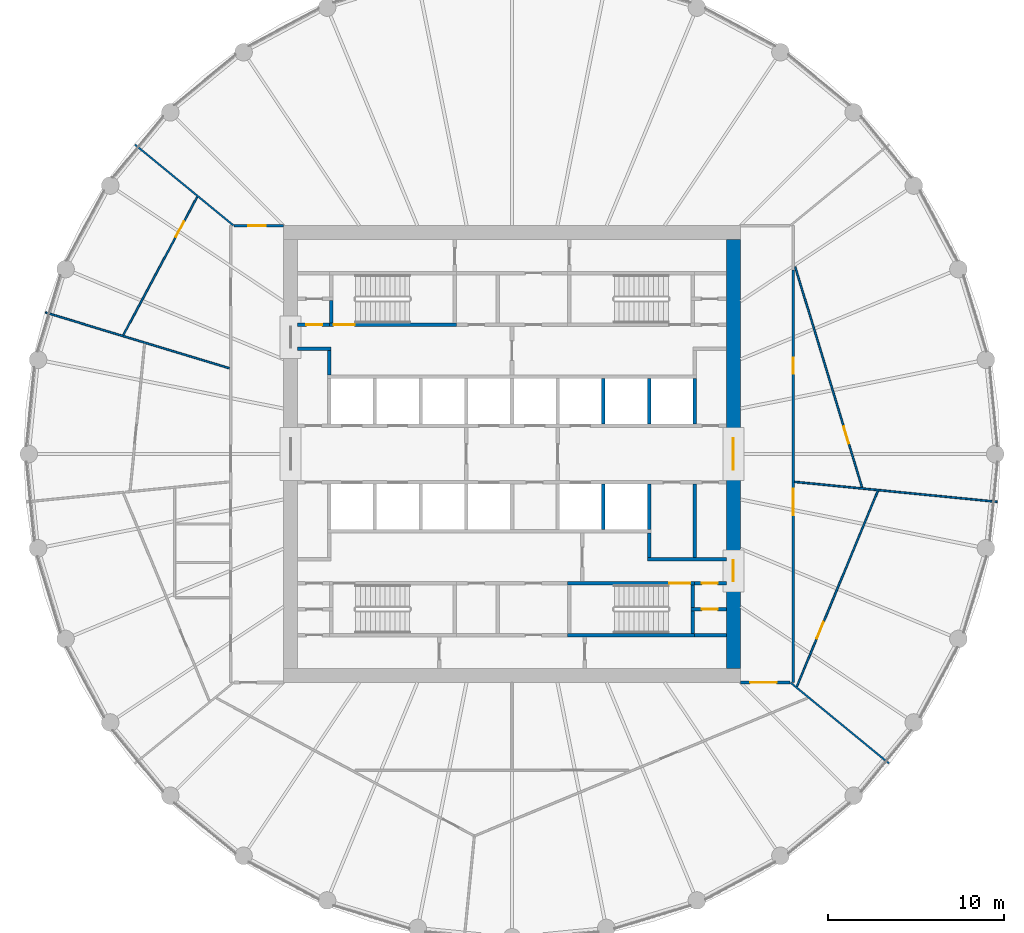
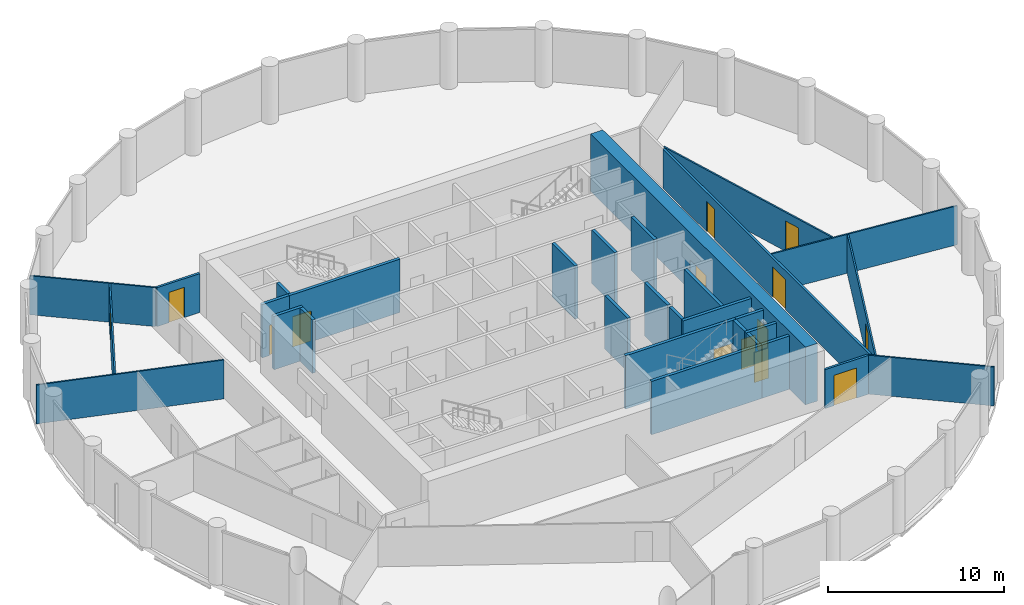
# One storey, part 6 of 9: 31 walls, 14 doors, 14 openings.
"""IFC4 building model written with IfcOpenShell, lengths in metres."""

from ifc_helpers import new_model, si_unit, direction, frame, frame_2d, origin, place, context, subcontext, project, spatial, polyline, rectangle, outline, extrude, material, layer, layer_set, type_object, element, fill, save


model = new_model("IFC4")

# Units and contexts
model_context = context("Model", 3, precision=1e-05, world=origin(), true_north=direction((0.0, 1.0)))
body_context = subcontext(model_context, "Body", "Model", "MODEL_VIEW")
ifc_project = project(units=[si_unit("LENGTHUNIT", "METRE"), si_unit("AREAUNIT", "SQUARE_METRE"), si_unit("VOLUMEUNIT", "CUBIC_METRE"), si_unit("PLANEANGLEUNIT", "RADIAN"), si_unit("MASSUNIT", "GRAM", prefix="KILO")], contexts=[model_context])

# Site, building, storey
site_placement = place(None, origin())
site = spatial("IfcSite", under=ifc_project, at=site_placement, CompositionType="ELEMENT")
building_placement = place(site_placement, origin())
building = spatial("IfcBuilding", under=site, at=building_placement, Name="Corvane Civic Tower", CompositionType="ELEMENT")
storey_placement = place(building_placement, frame((0.0, 0.0, 225.5)))
storey = spatial("IfcBuildingStorey", under=building, at=storey_placement, Name="L53", CompositionType="ELEMENT", Elevation=225.5)

# Wall, openings, doors
ifc_material_1 = material(Name="Concrete C50/60", Category="concrete")
ifc_layer_1 = layer(ifc_material_1, 0.800048828125)
ifc_layer_set_1 = layer_set([ifc_layer_1], Name="Concrete C50/60")
wall_type_1 = type_object("IfcWallType", Name="CORE WALL 800 C50/60", PredefinedType="SHEAR", material=ifc_layer_set_1)
wall_1_placement = place(storey_placement, frame((12.60009765625, -12.199951171875, 0.0), z_axis=(0.0, 0.0, 1.0), x_axis=(0.0, 1.0, 0.0)))
wall_1 = element("IfcWall", 1, at=wall_1_placement, inside=storey, type_object=wall_type_1, Name="W-L53-core-E", PredefinedType="SHEAR", context=body_context, shape_type="SweptSolid", body=[
    extrude(rectangle(XDim=24.39990234375, YDim=0.800048828125, at=frame_2d((12.199951171875, 0.0))), origin(), (0.0, 0.0, 1.0), 4.0),
])
opening_1_placement = place(wall_1_placement, frame((11.300048828125, 0.0, 0.0)))
opening_1 = element("IfcOpeningElement", 2, at=opening_1_placement, cuts=wall_1, Name="Opening L53.C35", PredefinedType="OPENING", context=body_context, shape_type="SweptSolid", body=[
    extrude(rectangle(XDim=1.800048828125, YDim=2.10009765625, at=frame_2d((0.89990234375, 1.050048828125))), frame((0.0, 0.409912109375, 0.0), z_axis=(0.0, -1.0, 0.0), x_axis=(1.0, 0.0, 0.0)), (0.0, 0.0, 1.0), 0.820068359375),
])
opening_2_placement = place(wall_1_placement, frame((4.949951171875, 0.0, 0.0)))
opening_2 = element("IfcOpeningElement", 3, at=opening_2_placement, cuts=wall_1, Name="Opening L53.C37", PredefinedType="OPENING", context=body_context, shape_type="SweptSolid", body=[
    extrude(rectangle(XDim=1.199951171875, YDim=2.10009765625, at=frame_2d((0.60009765625, 1.050048828125))), frame((0.0, 0.409912109375, 0.0), z_axis=(0.0, -1.0, 0.0), x_axis=(1.0, 0.0, 0.0)), (0.0, 0.0, 1.0), 0.820068359375),
])
ifc_material_2 = material(Name="Steel fire door leaf", Category="steel")
door_type_1 = type_object("IfcDoorType", Name="CR-DOOR-CORE-1800", OperationType="DOUBLE_DOOR_SINGLE_SWING", PredefinedType="DOOR", material=ifc_material_2)
door_1_placement = place(opening_1_placement, origin())
door_1 = element("IfcDoor", 4, at=door_1_placement, inside=storey, type_object=door_type_1, Name="L53 door", OperationType="DOUBLE_DOOR_SINGLE_SWING", OverallHeight=2.10009765625, OverallWidth=1.800048828125, PredefinedType="DOOR", context=body_context, shape_type="SweptSolid", body=[
    extrude(rectangle(XDim=1.800048828125, YDim=2.10009765625, at=frame_2d((0.89990234375, 1.050048828125))), frame((0.0, 0.02490234375, 0.0), z_axis=(0.0, -1.0, 0.0), x_axis=(1.0, 0.0, 0.0)), (0.0, 0.0, 1.0), 0.050048828125),
])
fill(opening_1, door_1)
door_2_placement = place(opening_2_placement, origin())
door_2 = element("IfcDoor", 5, at=door_2_placement, inside=storey, type_object=door_type_1, Name="L53 door", OperationType="DOUBLE_DOOR_SINGLE_SWING", OverallHeight=2.10009765625, OverallWidth=1.199951171875, PredefinedType="DOOR", context=body_context, shape_type="SweptSolid", body=[
    extrude(rectangle(XDim=1.199951171875, YDim=2.10009765625, at=frame_2d((0.60009765625, 1.050048828125))), frame((0.0, 0.02490234375, 0.0), z_axis=(0.0, -1.0, 0.0), x_axis=(1.0, 0.0, 0.0)), (0.0, 0.0, 1.0), 0.050048828125),
])
fill(opening_2, door_2)

# Wall, opening, door
ifc_material_3 = material(Name="Concrete C30/37", Category="concrete")
ifc_layer_2 = layer(ifc_material_3, 0.199951171875)
ifc_layer_set_2 = layer_set([ifc_layer_2], Name="Concrete C30/37")
wall_type_2 = type_object("IfcWallType", Name="CR-WALL-200", PredefinedType="PARTITIONING", material=ifc_layer_set_2)
wall_2_placement = place(storey_placement, frame((10.199951171875, -8.824951171875, 0.0), z_axis=(0.0, 0.0, 1.0), x_axis=(1.0, 0.0, 0.0)))
wall_2 = element("IfcWall", 6, at=wall_2_placement, inside=storey, type_object=wall_type_2, Name="L53 partition wall", PredefinedType="PARTITIONING", context=body_context, shape_type="SweptSolid", body=[
    extrude(rectangle(XDim=2.0, YDim=0.199951171875, at=frame_2d((1.0, 0.0))), origin(), (0.0, 0.0, 1.0), 3.699951171875),
])
opening_3_placement = place(wall_2_placement, frame((0.60009765625, 0.0, 0.0)))
opening_3 = element("IfcOpeningElement", 7, at=opening_3_placement, cuts=wall_2, Name="Opening L53.C25", PredefinedType="OPENING", context=body_context, shape_type="SweptSolid", body=[
    extrude(rectangle(XDim=0.89990234375, YDim=2.10009765625, at=frame_2d((0.449951171875, 1.050048828125))), frame((0.0, 0.10986328125, 0.0), z_axis=(0.0, -1.0, 0.0), x_axis=(1.0, 0.0, 0.0)), (0.0, 0.0, 1.0), 0.219970703125),
])
ifc_material_4 = material(Name="Steel fire door leaf", Category="steel")
door_type_2 = type_object("IfcDoorType", Name="CR-DOOR-900", OperationType="SINGLE_SWING_LEFT", PredefinedType="DOOR", material=ifc_material_4)
door_3_placement = place(opening_3_placement, origin())
door_3 = element("IfcDoor", 8, at=door_3_placement, inside=storey, type_object=door_type_2, Name="L53 door", OperationType="SINGLE_SWING_LEFT", OverallHeight=2.10009765625, OverallWidth=0.89990234375, PredefinedType="DOOR", context=body_context, shape_type="SweptSolid", body=[
    extrude(rectangle(XDim=0.89990234375, YDim=2.10009765625, at=frame_2d((0.449951171875, 1.050048828125))), frame((0.0, 0.02490234375, 0.0), z_axis=(0.0, -1.0, 0.0), x_axis=(1.0, 0.0, 0.0)), (0.0, 0.0, 1.0), 0.050048828125),
])
fill(opening_3, door_3)

wall_3_placement = place(storey_placement, frame((10.39990234375, -7.35009765625, 0.0), z_axis=(0.0, 0.0, 1.0), x_axis=(1.0, 0.0, 0.0)))
wall_3 = element("IfcWall", 9, at=wall_3_placement, inside=storey, type_object=wall_type_2, Name="L53 core partition wall", PredefinedType="PARTITIONING", context=body_context, shape_type="SweptSolid", body=[
    extrude(rectangle(XDim=1.800048828125, YDim=0.199951171875, at=frame_2d((0.89990234375, 0.0))), origin(), (0.0, 0.0, 1.0), 3.699951171875),
])
opening_4_placement = place(wall_3_placement, frame((0.39990234375, 0.0, 0.0)))
opening_4 = element("IfcOpeningElement", 10, at=opening_4_placement, cuts=wall_3, Name="Opening L53.C24", PredefinedType="OPENING", context=body_context, shape_type="SweptSolid", body=[
    extrude(rectangle(XDim=0.89990234375, YDim=2.10009765625, at=frame_2d((0.449951171875, 1.050048828125))), frame((0.0, 0.10986328125, 0.0), z_axis=(0.0, -1.0, 0.0), x_axis=(1.0, 0.0, 0.0)), (0.0, 0.0, 1.0), 0.219970703125),
])
door_4_placement = place(opening_4_placement, origin())
door_4 = element("IfcDoor", 11, at=door_4_placement, inside=storey, type_object=door_type_2, Name="L53 door", OperationType="SINGLE_SWING_LEFT", OverallHeight=2.10009765625, OverallWidth=0.89990234375, PredefinedType="DOOR", context=body_context, shape_type="SweptSolid", body=[
    extrude(rectangle(XDim=0.89990234375, YDim=2.10009765625, at=frame_2d((0.449951171875, 1.050048828125))), frame((0.0, 0.02490234375, 0.0), z_axis=(0.0, -1.0, 0.0), x_axis=(1.0, 0.0, 0.0)), (0.0, 0.0, 1.0), 0.050048828125),
])
fill(opening_4, door_4)

wall_4_placement = place(storey_placement, frame((-12.199951171875, 7.35009765625, 0.0), z_axis=(0.0, 0.0, 1.0), x_axis=(1.0, 0.0, 0.0)))
wall_4 = element("IfcWall", 12, at=wall_4_placement, inside=storey, type_object=wall_type_2, Name="L53 core partition wall", PredefinedType="PARTITIONING", context=body_context, shape_type="SweptSolid", body=[
    extrude(rectangle(XDim=1.800048828125, YDim=0.199951171875, at=frame_2d((0.89990234375, 0.0))), origin(), (0.0, 0.0, 1.0), 3.699951171875),
])
opening_5_placement = place(wall_4_placement, frame((0.5, 0.0, 0.0)))
opening_5 = element("IfcOpeningElement", 13, at=opening_5_placement, cuts=wall_4, Name="Opening L53.C17", PredefinedType="OPENING", context=body_context, shape_type="SweptSolid", body=[
    extrude(rectangle(XDim=0.89990234375, YDim=2.10009765625, at=frame_2d((0.449951171875, 1.050048828125))), frame((0.0, 0.10986328125, 0.0), z_axis=(0.0, -1.0, 0.0), x_axis=(1.0, 0.0, 0.0)), (0.0, 0.0, 1.0), 0.219970703125),
])
door_5_placement = place(opening_5_placement, origin())
door_5 = element("IfcDoor", 14, at=door_5_placement, inside=storey, type_object=door_type_2, Name="L53 door", OperationType="SINGLE_SWING_LEFT", OverallHeight=2.10009765625, OverallWidth=0.89990234375, PredefinedType="DOOR", context=body_context, shape_type="SweptSolid", body=[
    extrude(rectangle(XDim=0.89990234375, YDim=2.10009765625, at=frame_2d((0.449951171875, 1.050048828125))), frame((0.0, 0.02490234375, 0.0), z_axis=(0.0, -1.0, 0.0), x_axis=(1.0, 0.0, 0.0)), (0.0, 0.0, 1.0), 0.050048828125),
])
fill(opening_5, door_5)

# Walls
wall_5_placement = place(storey_placement, origin())
element("IfcWall", 15, at=wall_5_placement, inside=storey, type_object=wall_type_2, Name="L53 core partition wall", PredefinedType="PARTITIONING", context=body_context, shape_type="SweptSolid", body=[
    extrude(outline(polyline([(12.199951171875, -6.10009765625), (7.699951171875, -6.10009765625), (7.699951171875, -5.89990234375), (12.199951171875, -5.89990234375), (12.199951171875, -6.10009765625)])), origin(), (0.0, 0.0, 1.0), 3.699951171875),
])
wall_6_placement = place(storey_placement, origin())
element("IfcWall", 16, at=wall_6_placement, inside=storey, type_object=wall_type_2, Name="L53 core partition wall", PredefinedType="PARTITIONING", context=body_context, shape_type="SweptSolid", body=[
    extrude(outline(polyline([(10.5, -1.699951171875), (10.5, -5.89990234375), (10.300048828125, -5.89990234375), (10.300048828125, -1.699951171875), (10.5, -1.699951171875)])), origin(), (0.0, 0.0, 1.0), 3.699951171875),
])
wall_7_placement = place(storey_placement, origin())
element("IfcWall", 17, at=wall_7_placement, inside=storey, type_object=wall_type_2, Name="L53 core partition wall", PredefinedType="PARTITIONING", context=body_context, shape_type="SweptSolid", body=[
    extrude(outline(polyline([(5.300048828125, -1.699951171875), (5.300048828125, -4.2998046875), (5.10009765625, -4.2998046875), (5.10009765625, -1.699951171875), (5.300048828125, -1.699951171875)])), origin(), (0.0, 0.0, 1.0), 3.699951171875),
])
wall_8_placement = place(storey_placement, origin())
element("IfcWall", 18, at=wall_8_placement, inside=storey, type_object=wall_type_2, Name="L53 core partition wall", PredefinedType="PARTITIONING", context=body_context, shape_type="SweptSolid", body=[
    extrude(outline(polyline([(7.89990234375, -1.699951171875), (7.89990234375, -4.2998046875), (7.699951171875, -4.2998046875), (7.699951171875, -1.699951171875), (7.89990234375, -1.699951171875)])), origin(), (0.0, 0.0, 1.0), 3.699951171875),
])
wall_9_placement = place(storey_placement, origin())
element("IfcWall", 19, at=wall_9_placement, inside=storey, type_object=wall_type_2, Name="L53 core partition wall", PredefinedType="PARTITIONING", context=body_context, shape_type="SweptSolid", body=[
    extrude(outline(polyline([(7.89990234375, -5.89990234375), (7.699951171875, -5.89990234375), (7.699951171875, -4.5), (7.89990234375, -4.5), (7.89990234375, -5.89990234375)])), origin(), (0.0, 0.0, 1.0), 3.699951171875),
])
wall_10_placement = place(storey_placement, origin())
element("IfcWall", 20, at=wall_10_placement, inside=storey, type_object=wall_type_2, Name="L53 core partition wall", PredefinedType="PARTITIONING", context=body_context, shape_type="SweptSolid", body=[
    extrude(outline(polyline([(5.300048828125, 1.699951171875), (5.10009765625, 1.699951171875), (5.10009765625, 4.2998046875), (5.300048828125, 4.2998046875), (5.300048828125, 1.699951171875)])), origin(), (0.0, 0.0, 1.0), 3.699951171875),
])
wall_11_placement = place(storey_placement, origin())
element("IfcWall", 21, at=wall_11_placement, inside=storey, type_object=wall_type_2, Name="L53 core partition wall", PredefinedType="PARTITIONING", context=body_context, shape_type="SweptSolid", body=[
    extrude(outline(polyline([(7.89990234375, 1.699951171875), (7.699951171875, 1.699951171875), (7.699951171875, 4.2998046875), (7.89990234375, 4.2998046875), (7.89990234375, 1.699951171875)])), origin(), (0.0, 0.0, 1.0), 3.699951171875),
])
wall_12_placement = place(storey_placement, origin())
element("IfcWall", 22, at=wall_12_placement, inside=storey, type_object=wall_type_2, Name="L53 core partition wall", PredefinedType="PARTITIONING", context=body_context, shape_type="SweptSolid", body=[
    extrude(outline(polyline([(10.5, 1.699951171875), (10.300048828125, 1.699951171875), (10.300048828125, 4.2998046875), (10.5, 4.2998046875), (10.5, 1.699951171875)])), origin(), (0.0, 0.0, 1.0), 3.699951171875),
])
wall_13_placement = place(storey_placement, origin())
element("IfcWall", 23, at=wall_13_placement, inside=storey, type_object=wall_type_2, Name="L53 core partition wall", PredefinedType="PARTITIONING", context=body_context, shape_type="SweptSolid", body=[
    extrude(outline(polyline([(-10.300048828125, 5.89990234375), (-12.199951171875, 5.89990234375), (-12.199951171875, 6.10009765625), (-10.300048828125, 6.10009765625), (-10.300048828125, 5.89990234375)])), origin(), (0.0, 0.0, 1.0), 3.699951171875),
])
wall_14_placement = place(storey_placement, origin())
element("IfcWall", 24, at=wall_14_placement, inside=storey, type_object=wall_type_2, Name="L53 core partition wall", PredefinedType="PARTITIONING", context=body_context, shape_type="SweptSolid", body=[
    extrude(outline(polyline([(-10.300048828125, 4.5), (-10.5, 4.5), (-10.5, 5.89990234375), (-10.300048828125, 5.89990234375), (-10.300048828125, 4.5)])), origin(), (0.0, 0.0, 1.0), 3.699951171875),
])
wall_15_placement = place(storey_placement, origin())
element("IfcWall", 25, at=wall_15_placement, inside=storey, type_object=wall_type_2, Name="L53 core partition wall", PredefinedType="PARTITIONING", context=body_context, shape_type="SweptSolid", body=[
    extrude(outline(polyline([(10.39990234375, -10.39990234375), (10.39990234375, -10.199951171875), (12.199951171875, -10.199951171875), (12.199951171875, -10.39990234375), (10.39990234375, -10.39990234375)])), origin(), (0.0, 0.0, 1.0), 3.699951171875),
])
ifc_material_5 = material(Name="Plasterboard")
ifc_layer_3 = layer(ifc_material_5, 0.10009765625)
ifc_layer_set_3 = layer_set([ifc_layer_3], Name="Plasterboard")
wall_type_3 = type_object("IfcWallType", Name="Partition 100 plasterboard on studs", PredefinedType="PARTITIONING", material=ifc_layer_set_3)
wall_16_placement = place(storey_placement, frame((15.8544921875, -13.01123046875, 0.0), z_axis=(0.0, 0.0, 1.0), x_axis=(0.772997895748, -0.634408585352, 0.0)))
element("IfcWall", 26, at=wall_16_placement, inside=storey, type_object=wall_type_3, Name="Partition L53.007", PredefinedType="PARTITIONING", context=body_context, shape_type="SweptSolid", body=[
    extrude(rectangle(XDim=7.240234375, YDim=0.10009765625, at=frame_2d((3.6201171875, 0.0))), origin(), (0.0, 0.0, 1.0), 2.699951171875),
])

# Wall, opening, door
wall_17_placement = place(storey_placement, frame((16.214111328125, -13.22314453125, 0.0), z_axis=(0.0, 0.0, 1.0), x_axis=(0.382678182982, 0.92388170686, 0.0)))
wall_17 = element("IfcWall", 27, at=wall_17_placement, inside=storey, type_object=wall_type_3, Name="Partition L53.009", PredefinedType="PARTITIONING", context=body_context, shape_type="SweptSolid", body=[
    extrude(rectangle(XDim=12.0234375, YDim=0.10009765625, at=frame_2d((6.01171875, 0.0))), origin(), (0.0, 0.0, 1.0), 2.699951171875),
])
opening_6_placement = place(wall_17_placement, frame((2.95654296875, 0.0, 0.0)))
opening_6 = element("IfcOpeningElement", 28, at=opening_6_placement, cuts=wall_17, Name="Opening L53.009", PredefinedType="OPENING", context=body_context, shape_type="SweptSolid", body=[
    extrude(rectangle(XDim=1.0, YDim=2.10009765625, at=frame_2d((0.5, 1.050048828125))), frame((0.0, 0.06005859375, 0.0), z_axis=(0.0, -1.0, 0.0), x_axis=(1.0, 0.0, 0.0)), (0.0, 0.0, 1.0), 0.1201171875),
])
ifc_material_6 = material(Name="Timber", Category="wood")
door_type_3 = type_object("IfcDoorType", Name="Single door 1000", OperationType="NOTDEFINED", PredefinedType="DOOR", material=ifc_material_6)
door_6_placement = place(opening_6_placement, frame((1.0, 0.0, 0.0), z_axis=(0.0, 0.0, 1.0), x_axis=(-1.0, 0.0, 0.0)))
door_6 = element("IfcDoor", 29, at=door_6_placement, inside=storey, type_object=door_type_3, Name="Door L53.009", OperationType="SINGLE_SWING_LEFT", OverallHeight=2.10009765625, OverallWidth=1.0, PredefinedType="DOOR", context=body_context, shape_type="SweptSolid", body=[
    extrude(rectangle(XDim=1.0, YDim=2.10009765625, at=frame_2d((0.5, 1.050048828125))), frame((0.0, 0.02490234375, 0.0), z_axis=(0.0, -1.0, 0.0), x_axis=(1.0, 0.0, 0.0)), (0.0, 0.0, 1.0), 0.050048828125),
])
fill(opening_6, door_6)

# Wall
wall_18_placement = place(storey_placement, frame((16.079833984375, -1.583740234375, 0.0), z_axis=(0.0, 0.0, 1.0), x_axis=(0.995184958345, -0.098014788084, 0.0)))
element("IfcWall", 30, at=wall_18_placement, inside=storey, type_object=wall_type_3, Name="Partition L53.019", PredefinedType="PARTITIONING", context=body_context, shape_type="SweptSolid", body=[
    extrude(rectangle(XDim=11.592529296875, YDim=0.10009765625, at=frame_2d((5.79638671875, 0.0))), origin(), (0.0, 0.0, 1.0), 2.699951171875),
])

# Wall, opening, door
wall_19_placement = place(storey_placement, frame((16.1162109375, 10.655517578125, 0.0), z_axis=(0.0, 0.0, 1.0), x_axis=(0.290282810355, -0.956940902048, 0.0)))
wall_19 = element("IfcWall", 31, at=wall_19_placement, inside=storey, type_object=wall_type_3, Name="Partition L53.022", PredefinedType="PARTITIONING", context=body_context, shape_type="SweptSolid", body=[
    extrude(rectangle(XDim=13.11279296875, YDim=0.10009765625, at=frame_2d((6.556396484375, 0.0))), origin(), (0.0, 0.0, 1.0), 2.699951171875),
])
opening_7_placement = place(wall_19_placement, frame((9.5048828125, 0.0, 0.0)))
opening_7 = element("IfcOpeningElement", 32, at=opening_7_placement, cuts=wall_19, Name="Opening L53.007", PredefinedType="OPENING", context=body_context, shape_type="SweptSolid", body=[
    extrude(rectangle(XDim=1.0, YDim=2.10009765625, at=frame_2d((0.5, 1.050048828125))), frame((0.0, 0.06005859375, 0.0), z_axis=(0.0, -1.0, 0.0), x_axis=(1.0, 0.0, 0.0)), (0.0, 0.0, 1.0), 0.1201171875),
])
door_7_placement = place(opening_7_placement, origin())
door_7 = element("IfcDoor", 33, at=door_7_placement, inside=storey, type_object=door_type_3, Name="Door L53.007", OperationType="SINGLE_SWING_LEFT", OverallHeight=2.10009765625, OverallWidth=1.0, PredefinedType="DOOR", context=body_context, shape_type="SweptSolid", body=[
    extrude(rectangle(XDim=1.0, YDim=2.10009765625, at=frame_2d((0.5, 1.050048828125))), frame((0.0, 0.02490234375, 0.0), z_axis=(0.0, -1.0, 0.0), x_axis=(1.0, 0.0, 0.0)), (0.0, 0.0, 1.0), 0.050048828125),
])
fill(opening_7, door_7)

# Wall
wall_20_placement = place(storey_placement, frame((-26.555419921875, 8.055419921875, 0.0), z_axis=(0.0, 0.0, 1.0), x_axis=(0.956939502521, -0.290287423971, 0.0)))
element("IfcWall", 34, at=wall_20_placement, inside=storey, type_object=wall_type_3, Name="Partition L53.023", PredefinedType="PARTITIONING", context=body_context, shape_type="SweptSolid", body=[
    extrude(rectangle(XDim=10.936767578125, YDim=0.10009765625, at=frame_2d((5.46826171875, 0.0))), origin(), (0.0, 0.0, 1.0), 2.699951171875),
])

# Wall, opening, door
wall_21_placement = place(storey_placement, frame((-22.119384765625, 6.772216796875, 0.0), z_axis=(0.0, 0.0, 1.0), x_axis=(0.471383151243, 0.881928525859, 0.0)))
wall_21 = element("IfcWall", 35, at=wall_21_placement, inside=storey, type_object=wall_type_3, Name="Partition L53.024", PredefinedType="PARTITIONING", context=body_context, shape_type="SweptSolid", body=[
    extrude(rectangle(XDim=8.90869140625, YDim=0.10009765625, at=frame_2d((4.454345703125, 0.0))), origin(), (0.0, 0.0, 1.0), 2.699951171875),
])
opening_8_placement = place(wall_21_placement, frame((6.32470703125, 0.0, 0.0)))
opening_8 = element("IfcOpeningElement", 36, at=opening_8_placement, cuts=wall_21, Name="Opening L53.018", PredefinedType="OPENING", context=body_context, shape_type="SweptSolid", body=[
    extrude(rectangle(XDim=1.0, YDim=2.10009765625, at=frame_2d((0.5, 1.050048828125))), frame((0.0, 0.06005859375, 0.0), z_axis=(0.0, -1.0, 0.0), x_axis=(1.0, 0.0, 0.0)), (0.0, 0.0, 1.0), 0.1201171875),
])
door_8_placement = place(opening_8_placement, origin())
door_8 = element("IfcDoor", 37, at=door_8_placement, inside=storey, type_object=door_type_3, Name="Door L53.018", OperationType="SINGLE_SWING_LEFT", OverallHeight=2.10009765625, OverallWidth=1.0, PredefinedType="DOOR", context=body_context, shape_type="SweptSolid", body=[
    extrude(rectangle(XDim=1.0, YDim=2.10009765625, at=frame_2d((0.5, 1.050048828125))), frame((0.0, 0.02490234375, 0.0), z_axis=(0.0, -1.0, 0.0), x_axis=(1.0, 0.0, 0.0)), (0.0, 0.0, 1.0), 0.050048828125),
])
fill(opening_8, door_8)

# Wall
wall_22_placement = place(storey_placement, frame((-21.451171875, 17.6044921875, 0.0), z_axis=(0.0, 0.0, 1.0), x_axis=(0.773014432023, -0.634388436121, 0.0)))
element("IfcWall", 38, at=wall_22_placement, inside=storey, type_object=wall_type_3, Name="Partition L53.028", PredefinedType="PARTITIONING", context=body_context, shape_type="SweptSolid", body=[
    extrude(rectangle(XDim=7.239990234375, YDim=0.10009765625, at=frame_2d((3.6201171875, 0.0))), origin(), (0.0, 0.0, 1.0), 2.699951171875),
])

# Wall, opening, door
ifc_material_7 = material(Name="Concrete C50/60", Category="concrete")
ifc_layer_4 = layer(ifc_material_7, 0.199951171875)
ifc_layer_set_4 = layer_set([ifc_layer_4], Name="Concrete C50/60")
wall_type_4 = type_object("IfcWallType", Name="ST-WALL-200", PredefinedType="SHEAR", material=ifc_layer_set_4)
wall_23_placement = place(storey_placement, frame((3.14990234375, -7.35009765625, 0.0), z_axis=(0.0, 0.0, 1.0), x_axis=(1.0, 0.0, 0.0)))
wall_23 = element("IfcWall", 39, at=wall_23_placement, inside=storey, type_object=wall_type_4, Name="L53 stair enclosure wall", PredefinedType="SHEAR", context=body_context, shape_type="SweptSolid", body=[
    extrude(rectangle(XDim=7.25, YDim=0.199951171875, at=frame_2d((3.625, 0.0))), origin(), (0.0, 0.0, 1.0), 3.699951171875),
])
opening_9_placement = place(wall_23_placement, frame((5.800048828125, 0.0, 0.0)))
opening_9 = element("IfcOpeningElement", 40, at=opening_9_placement, cuts=wall_23, Name="Opening L53.C28", PredefinedType="OPENING", context=body_context, shape_type="SweptSolid", body=[
    extrude(rectangle(XDim=1.199951171875, YDim=2.10009765625, at=frame_2d((0.60009765625, 1.050048828125))), frame((0.0, 0.10986328125, 0.0), z_axis=(0.0, -1.0, 0.0), x_axis=(1.0, 0.0, 0.0)), (0.0, 0.0, 1.0), 0.219970703125),
])
ifc_material_8 = material(Name="Steel fire door leaf", Category="steel")
door_type_4 = type_object("IfcDoorType", Name="ST-DOOR-1200", OperationType="SINGLE_SWING_RIGHT", PredefinedType="DOOR", material=ifc_material_8)
door_9_placement = place(opening_9_placement, origin())
door_9 = element("IfcDoor", 41, at=door_9_placement, inside=storey, type_object=door_type_4, Name="L53 stair door", OperationType="SINGLE_SWING_RIGHT", OverallHeight=2.10009765625, OverallWidth=1.199951171875, PredefinedType="DOOR", context=body_context, shape_type="SweptSolid", body=[
    extrude(rectangle(XDim=1.199951171875, YDim=2.10009765625, at=frame_2d((0.60009765625, 1.050048828125))), frame((0.0, 0.02490234375, 0.0), z_axis=(0.0, -1.0, 0.0), x_axis=(1.0, 0.0, 0.0)), (0.0, 0.0, 1.0), 0.050048828125),
])
fill(opening_9, door_9)

wall_24_placement = place(storey_placement, frame((-10.39990234375, 7.35009765625, 0.0), z_axis=(0.0, 0.0, 1.0), x_axis=(1.0, 0.0, 0.0)))
wall_24 = element("IfcWall", 42, at=wall_24_placement, inside=storey, type_object=wall_type_4, Name="L53 stair enclosure wall", PredefinedType="SHEAR", context=body_context, shape_type="SweptSolid", body=[
    extrude(rectangle(XDim=7.25, YDim=0.199951171875, at=frame_2d((3.625, 0.0))), origin(), (0.0, 0.0, 1.0), 3.699951171875),
])
opening_10_placement = place(wall_24_placement, frame((0.25, 0.0, 0.0)))
opening_10 = element("IfcOpeningElement", 43, at=opening_10_placement, cuts=wall_24, Name="Opening L53.C27", PredefinedType="OPENING", context=body_context, shape_type="SweptSolid", body=[
    extrude(rectangle(XDim=1.199951171875, YDim=2.10009765625, at=frame_2d((0.60009765625, 1.050048828125))), frame((0.0, 0.10986328125, 0.0), z_axis=(0.0, -1.0, 0.0), x_axis=(1.0, 0.0, 0.0)), (0.0, 0.0, 1.0), 0.219970703125),
])
door_10_placement = place(opening_10_placement, origin())
door_10 = element("IfcDoor", 44, at=door_10_placement, inside=storey, type_object=door_type_4, Name="L53 stair door", OperationType="SINGLE_SWING_RIGHT", OverallHeight=2.10009765625, OverallWidth=1.199951171875, PredefinedType="DOOR", context=body_context, shape_type="SweptSolid", body=[
    extrude(rectangle(XDim=1.199951171875, YDim=2.10009765625, at=frame_2d((0.60009765625, 1.050048828125))), frame((0.0, 0.02490234375, 0.0), z_axis=(0.0, -1.0, 0.0), x_axis=(1.0, 0.0, 0.0)), (0.0, 0.0, 1.0), 0.050048828125),
])
fill(opening_10, door_10)

# Walls
wall_25_placement = place(storey_placement, origin())
element("IfcWall", 45, at=wall_25_placement, inside=storey, type_object=wall_type_4, Name="L53 stair enclosure wall", PredefinedType="SHEAR", context=body_context, shape_type="SweptSolid", body=[
    extrude(outline(polyline([(10.39990234375, -10.39990234375), (3.14990234375, -10.39990234375), (3.14990234375, -10.199951171875), (10.39990234375, -10.199951171875), (10.39990234375, -10.39990234375)])), origin(), (0.0, 0.0, 1.0), 3.699951171875),
])
wall_26_placement = place(storey_placement, origin())
element("IfcWall", 46, at=wall_26_placement, inside=storey, type_object=wall_type_4, Name="L53 stair enclosure wall", PredefinedType="SHEAR", context=body_context, shape_type="SweptSolid", body=[
    extrude(outline(polyline([(-10.199951171875, 8.72509765625), (-10.199951171875, 7.449951171875), (-10.39990234375, 7.449951171875), (-10.39990234375, 8.72509765625), (-10.199951171875, 8.72509765625)])), origin(), (0.0, 0.0, 1.0), 3.699951171875),
])
wall_27_placement = place(storey_placement, origin())
element("IfcWall", 47, at=wall_27_placement, inside=storey, type_object=wall_type_4, Name="L53 stair enclosure wall", PredefinedType="SHEAR", context=body_context, shape_type="SweptSolid", body=[
    extrude(outline(polyline([(10.39990234375, -7.449951171875), (10.39990234375, -8.72509765625), (10.199951171875, -8.72509765625), (10.199951171875, -7.449951171875), (10.39990234375, -7.449951171875)])), origin(), (0.0, 0.0, 1.0), 3.699951171875),
])
wall_28_placement = place(storey_placement, origin())
element("IfcWall", 48, at=wall_28_placement, inside=storey, type_object=wall_type_4, Name="L53 stair enclosure wall", PredefinedType="SHEAR", context=body_context, shape_type="SweptSolid", body=[
    extrude(outline(polyline([(10.39990234375, -8.925048828125), (10.39990234375, -10.199951171875), (10.199951171875, -10.199951171875), (10.199951171875, -8.925048828125), (10.39990234375, -8.925048828125)])), origin(), (0.0, 0.0, 1.0), 3.699951171875),
])

# Wall, opening, door
ifc_material_9 = material(Name="Plasterboard")
ifc_layer_5 = layer(ifc_material_9, 0.14990234375)
ifc_layer_set_5 = layer_set([ifc_layer_5], Name="Plasterboard")
wall_type_5 = type_object("IfcWallType", Name="Tenancy wall 150 EI 60", PredefinedType="PARTITIONING", material=ifc_layer_set_5)
wall_29_placement = place(storey_placement, frame((12.989990234375, -13.0, 0.0), z_axis=(0.0, 0.0, 1.0), x_axis=(1.0, 0.0, 0.0)))
wall_29 = element("IfcWall", 49, at=wall_29_placement, inside=storey, type_object=wall_type_5, Name="Partition L53.012", PredefinedType="PARTITIONING", context=body_context, shape_type="SweptSolid", body=[
    extrude(rectangle(XDim=2.82373046875, YDim=0.14990234375, at=frame_2d((1.411865234375, 0.0))), origin(), (0.0, 0.0, 1.0), 2.699951171875),
])
opening_11_placement = place(wall_29_placement, frame((0.568603515625, 0.0, 0.0)))
opening_11 = element("IfcOpeningElement", 50, at=opening_11_placement, cuts=wall_29, Name="Opening L53.005", PredefinedType="OPENING", context=body_context, shape_type="SweptSolid", body=[
    extrude(rectangle(XDim=1.5, YDim=2.10009765625, at=frame_2d((0.75, 1.050048828125))), frame((0.0, 0.0849609375, 0.0), z_axis=(0.0, -1.0, 0.0), x_axis=(1.0, 0.0, 0.0)), (0.0, 0.0, 1.0), 0.169921875),
])
ifc_material_10 = material(Name="Steel and timber", Category="steel")
door_type_5 = type_object("IfcDoorType", Name="Fire door FD60 double 1500", OperationType="NOTDEFINED", PredefinedType="DOOR", material=ifc_material_10)
door_11_placement = place(opening_11_placement, frame((1.5, 0.0, 0.0), z_axis=(0.0, 0.0, 1.0), x_axis=(-1.0, 0.0, 0.0)))
door_11 = element("IfcDoor", 51, at=door_11_placement, inside=storey, type_object=door_type_5, Name="Door L53.005", OperationType="DOUBLE_DOOR_SINGLE_SWING", OverallHeight=2.10009765625, OverallWidth=1.5, PredefinedType="DOOR", context=body_context, shape_type="SweptSolid", body=[
    extrude(rectangle(XDim=1.5, YDim=2.10009765625, at=frame_2d((0.75, 1.050048828125))), frame((0.0, 0.02490234375, 0.0), z_axis=(0.0, -1.0, 0.0), x_axis=(1.0, 0.0, 0.0)), (0.0, 0.0, 1.0), 0.050048828125),
])
fill(opening_11, door_11)

# Wall, openings, doors
wall_30_placement = place(storey_placement, frame((16.0, -13.0, 0.0), z_axis=(0.0, 0.0, 1.0), x_axis=(0.0, 1.0, 0.0)))
wall_30 = element("IfcWall", 52, at=wall_30_placement, inside=storey, type_object=wall_type_5, Name="Partition L53.013", PredefinedType="PARTITIONING", context=body_context, shape_type="SweptSolid", body=[
    extrude(rectangle(XDim=23.459716796875, YDim=0.14990234375, at=frame_2d((11.72998046875, 0.0))), origin(), (0.0, 0.0, 1.0), 2.699951171875),
])
opening_12_placement = place(wall_30_placement, frame((17.5654296875, 0.0, 0.0)))
opening_12 = element("IfcOpeningElement", 53, at=opening_12_placement, cuts=wall_30, Name="Opening L53.008", PredefinedType="OPENING", context=body_context, shape_type="SweptSolid", body=[
    extrude(rectangle(XDim=0.89990234375, YDim=2.10009765625, at=frame_2d((0.449951171875, 1.050048828125))), frame((0.0, 0.0849609375, 0.0), z_axis=(0.0, -1.0, 0.0), x_axis=(1.0, 0.0, 0.0)), (0.0, 0.0, 1.0), 0.169921875),
])
opening_13_placement = place(wall_30_placement, frame((9.5126953125, 0.0, 0.0)))
opening_13 = element("IfcOpeningElement", 54, at=opening_13_placement, cuts=wall_30, Name="Opening L53.010", PredefinedType="OPENING", context=body_context, shape_type="SweptSolid", body=[
    extrude(rectangle(XDim=1.5, YDim=2.10009765625, at=frame_2d((0.75, 1.050048828125))), frame((0.0, 0.0849609375, 0.0), z_axis=(0.0, -1.0, 0.0), x_axis=(1.0, 0.0, 0.0)), (0.0, 0.0, 1.0), 0.169921875),
])
ifc_material_11 = material(Name="Steel and timber", Category="steel")
door_type_6 = type_object("IfcDoorType", Name="Fire door FD30S 900", OperationType="NOTDEFINED", PredefinedType="DOOR", material=ifc_material_11)
door_12_placement = place(opening_12_placement, frame((0.89990234375, 0.0, 0.0), z_axis=(0.0, 0.0, 1.0), x_axis=(-1.0, 0.0, 0.0)))
door_12 = element("IfcDoor", 55, at=door_12_placement, inside=storey, type_object=door_type_6, Name="Door L53.008", OperationType="SINGLE_SWING_RIGHT", OverallHeight=2.10009765625, OverallWidth=0.89990234375, PredefinedType="DOOR", context=body_context, shape_type="SweptSolid", body=[
    extrude(rectangle(XDim=0.89990234375, YDim=2.10009765625, at=frame_2d((0.449951171875, 1.050048828125))), frame((0.0, 0.02490234375, 0.0), z_axis=(0.0, -1.0, 0.0), x_axis=(1.0, 0.0, 0.0)), (0.0, 0.0, 1.0), 0.050048828125),
])
fill(opening_12, door_12)
door_13_placement = place(opening_13_placement, frame((1.5, 0.0, 0.0), z_axis=(0.0, 0.0, 1.0), x_axis=(-1.0, 0.0, 0.0)))
door_13 = element("IfcDoor", 56, at=door_13_placement, inside=storey, type_object=door_type_5, Name="Door L53.010", OperationType="DOUBLE_DOOR_SINGLE_SWING", OverallHeight=2.10009765625, OverallWidth=1.5, PredefinedType="DOOR", context=body_context, shape_type="SweptSolid", body=[
    extrude(rectangle(XDim=1.5, YDim=2.10009765625, at=frame_2d((0.75, 1.050048828125))), frame((0.0, 0.02490234375, 0.0), z_axis=(0.0, -1.0, 0.0), x_axis=(1.0, 0.0, 0.0)), (0.0, 0.0, 1.0), 0.050048828125),
])
fill(opening_13, door_13)

# Wall, opening, door
wall_31_placement = place(storey_placement, frame((-15.813720703125, 13.0, 0.0), z_axis=(0.0, 0.0, 1.0), x_axis=(1.0, 0.0, 0.0)))
wall_31 = element("IfcWall", 57, at=wall_31_placement, inside=storey, type_object=wall_type_5, Name="Partition L53.026", PredefinedType="PARTITIONING", context=body_context, shape_type="SweptSolid", body=[
    extrude(rectangle(XDim=2.82373046875, YDim=0.14990234375, at=frame_2d((1.411865234375, 0.0))), origin(), (0.0, 0.0, 1.0), 2.699951171875),
])
opening_14_placement = place(wall_31_placement, frame((0.79248046875, 0.0, 0.0)))
opening_14 = element("IfcOpeningElement", 58, at=opening_14_placement, cuts=wall_31, Name="Opening L53.001", PredefinedType="OPENING", context=body_context, shape_type="SweptSolid", body=[
    extrude(rectangle(XDim=1.0, YDim=2.10009765625, at=frame_2d((0.5, 1.050048828125))), frame((0.0, 0.0849609375, 0.0), z_axis=(0.0, -1.0, 0.0), x_axis=(1.0, 0.0, 0.0)), (0.0, 0.0, 1.0), 0.169921875),
])
ifc_material_12 = material(Name="Steel and timber", Category="steel")
door_type_7 = type_object("IfcDoorType", Name="Fire door FD30S 1000", OperationType="NOTDEFINED", PredefinedType="DOOR", material=ifc_material_12)
door_14_placement = place(opening_14_placement, origin())
door_14 = element("IfcDoor", 59, at=door_14_placement, inside=storey, type_object=door_type_7, Name="Door L53.001", OperationType="SINGLE_SWING_LEFT", OverallHeight=2.10009765625, OverallWidth=1.0, PredefinedType="DOOR", context=body_context, shape_type="SweptSolid", body=[
    extrude(rectangle(XDim=1.0, YDim=2.10009765625, at=frame_2d((0.5, 1.050048828125))), frame((0.0, 0.02490234375, 0.0), z_axis=(0.0, -1.0, 0.0), x_axis=(1.0, 0.0, 0.0)), (0.0, 0.0, 1.0), 0.050048828125),
])
fill(opening_14, door_14)

save(model, "model.ifc")
